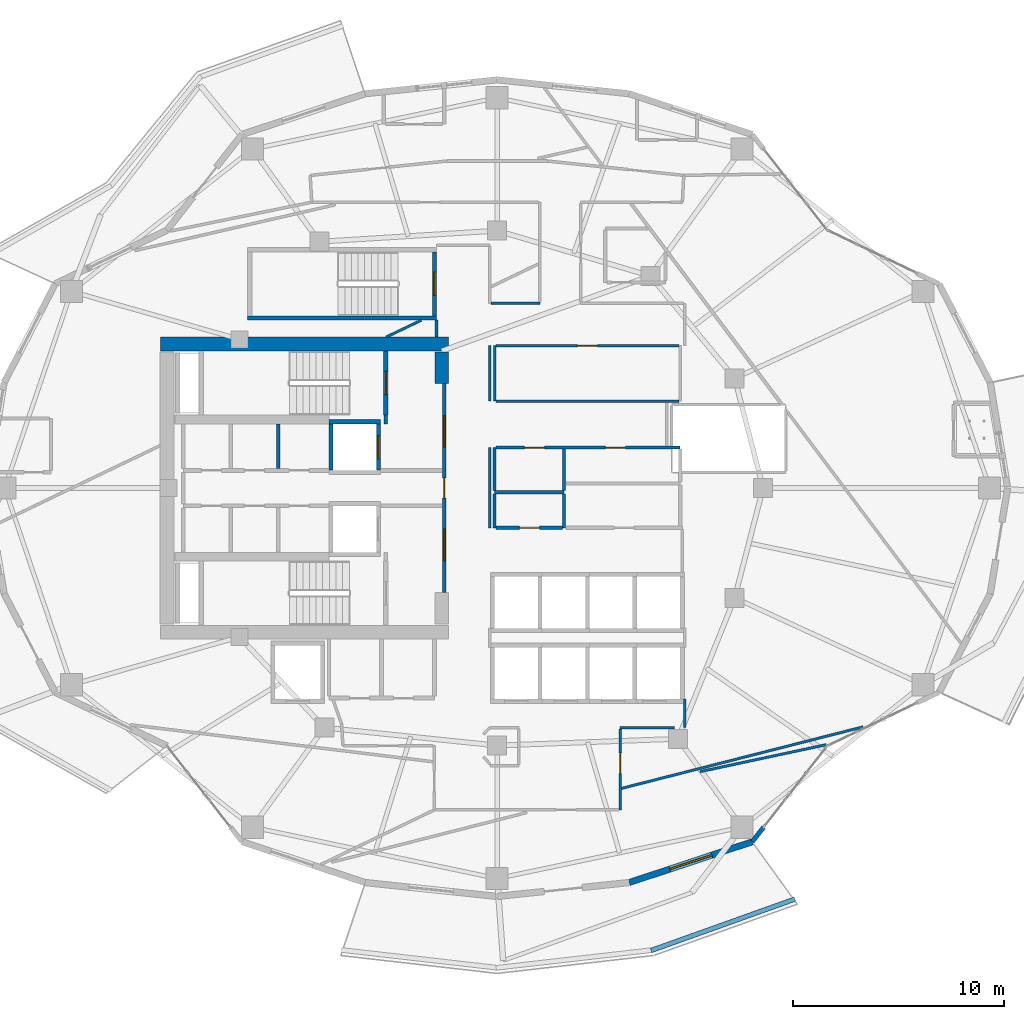
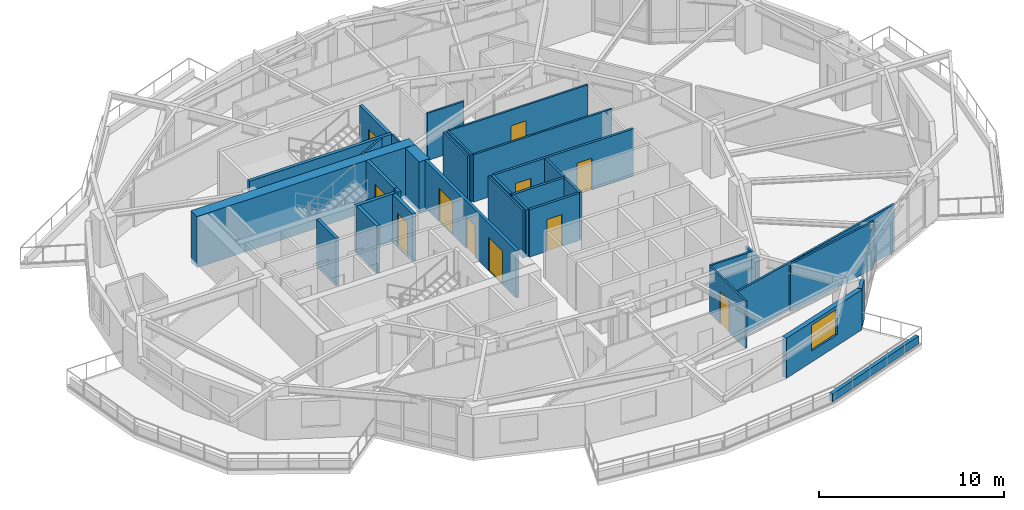
# One storey, part 10 of 19: 34 walls, 11 doors, 1 window, 12 openings.
"""IFC4 building model written with IfcOpenShell, lengths in metres."""

from ifc_helpers import new_model, si_unit, direction, frame, frame_2d, origin, place, context, subcontext, project, spatial, rectangle, extrude, material, layer, layer_set, type_object, element, fill, save


model = new_model("IFC4")

# Units and contexts
model_context = context("Model", 3, precision=1e-05, world=origin(), true_north=direction((0.0, 1.0)))
body_context = subcontext(model_context, "Body", "Model", "MODEL_VIEW")
ifc_project = project(units=[si_unit("LENGTHUNIT", "METRE"), si_unit("AREAUNIT", "SQUARE_METRE"), si_unit("VOLUMEUNIT", "CUBIC_METRE"), si_unit("PLANEANGLEUNIT", "RADIAN"), si_unit("MASSUNIT", "GRAM", prefix="KILO")], contexts=[model_context])

# Site, building, storey
site_placement = place(None, origin())
site = spatial("IfcSite", under=ifc_project, at=site_placement, CompositionType="ELEMENT")
building_placement = place(site_placement, origin())
building = spatial("IfcBuilding", under=site, at=building_placement, Name="Kolvaren Gate Tower and Convention Centre", CompositionType="ELEMENT")
storey_placement = place(building_placement, frame((0.0, 0.0, 122.300048828125)))
storey = spatial("IfcBuildingStorey", under=building, at=storey_placement, Name="L30", CompositionType="ELEMENT", Elevation=122.300048828125)

# Wall
ifc_material_1 = material(Name="Autoclaved Aerated Masonry Blockwork Class 4 (4.0 MPa)", Category="masonry")
ifc_layer_1 = layer(ifc_material_1, 0.179931640625)
ifc_layer_set_1 = layer_set([ifc_layer_1], Name="Autoclaved Aerated Masonry Blockwork Class 4 (4.0 MPa)")
wall_type_1 = type_object("IfcWallType", Name="ARCH-WL-COMP-180", PredefinedType="SOLIDWALL", material=ifc_layer_set_1)
wall_1_placement = place(storey_placement, frame((24.85009765625, 30.0400390625, 0.0), z_axis=(0.0, 0.0, 1.0), x_axis=(0.0, 1.0, 0.0)))
element("IfcWall", 1, at=wall_1_placement, inside=storey, type_object=wall_type_1, Name="Interior Partition WL-L30-INT-002", PredefinedType="SOLIDWALL", context=body_context, shape_type="SweptSolid", body=[
    extrude(rectangle(XDim=0.419921875, YDim=0.179931640625, at=frame_2d((0.2099609375, 0.0))), origin(), (0.0, 0.0, 1.0), 3.1298828125),
])

# Wall, openings, doors
wall_2_placement = place(storey_placement, frame((27.6201171875, 22.050048828125, 0.0), z_axis=(0.0, 0.0, 1.0), x_axis=(0.0, 1.0, 0.0)))
wall_2 = element("IfcWall", 2, at=wall_2_placement, inside=storey, type_object=wall_type_1, Name="Interior Partition WL-L30-INT-003", PredefinedType="SOLIDWALL", context=body_context, shape_type="SweptSolid", body=[
    extrude(rectangle(XDim=9.89990234375, YDim=0.179931640625, at=frame_2d((4.949951171875, 0.0))), origin(), (0.0, 0.0, 1.0), 3.1298828125),
])
opening_1_placement = place(wall_2_placement, frame((4.47509765625, 0.0, 0.0)))
opening_1 = element("IfcOpeningElement", 3, at=opening_1_placement, cuts=wall_2, Name="Opening DR-01", PredefinedType="OPENING", context=body_context, shape_type="SweptSolid", body=[
    extrude(rectangle(XDim=0.949951171875, YDim=2.10009765625, at=frame_2d((0.47509765625, 1.050048828125))), frame((0.0, 0.099853515625, 0.0), z_axis=(0.0, -1.0, 0.0), x_axis=(1.0, 0.0, 0.0)), (0.0, 0.0, 1.0), 0.199951171875),
])
opening_2_placement = place(wall_2_placement, frame((6.889892578125, 0.0, 0.0)))
opening_2 = element("IfcOpeningElement", 4, at=opening_2_placement, cuts=wall_2, Name="Opening DL-01", PredefinedType="OPENING", context=body_context, shape_type="SweptSolid", body=[
    extrude(rectangle(XDim=1.5, YDim=2.199951171875, at=frame_2d((0.75, 1.10009765625))), frame((0.0, 0.099853515625, 0.0), z_axis=(0.0, -1.0, 0.0), x_axis=(1.0, 0.0, 0.0)), (0.0, 0.0, 1.0), 0.199951171875),
])
opening_3_placement = place(wall_2_placement, frame((1.510009765625, 0.0, 0.0)))
opening_3 = element("IfcOpeningElement", 5, at=opening_3_placement, cuts=wall_2, Name="Opening DL-01", PredefinedType="OPENING", context=body_context, shape_type="SweptSolid", body=[
    extrude(rectangle(XDim=1.5, YDim=2.199951171875, at=frame_2d((0.75, 1.10009765625))), frame((0.0, 0.099853515625, 0.0), z_axis=(0.0, -1.0, 0.0), x_axis=(1.0, 0.0, 0.0)), (0.0, 0.0, 1.0), 0.199951171875),
])
ifc_material_2 = material(Name="Painted Architectural Steelwork ASTM A500 Grade C 345 MPa", Category="steel")
door_type_1 = type_object("IfcDoorType", Name="ARCH-DR-LOBBY-1500", OperationType="DOUBLE_DOOR_SINGLE_SWING", PredefinedType="DOOR", material=ifc_material_2)
door_1_placement = place(opening_2_placement, origin())
door_1 = element("IfcDoor", 6, at=door_1_placement, inside=storey, type_object=door_type_1, Name="North Firefighting Stair and Lift Lobby Door", OperationType="DOUBLE_DOOR_SINGLE_SWING", OverallHeight=2.199951171875, OverallWidth=1.5, PredefinedType="DOOR", context=body_context, shape_type="SweptSolid", body=[
    extrude(rectangle(XDim=1.5, YDim=2.199951171875, at=frame_2d((0.75, 1.10009765625))), frame((0.0, 0.02490234375, 0.0), z_axis=(0.0, -1.0, 0.0), x_axis=(1.0, 0.0, 0.0)), (0.0, 0.0, 1.0), 0.050048828125),
])
fill(opening_2, door_1)
door_2_placement = place(opening_3_placement, origin())
door_2 = element("IfcDoor", 7, at=door_2_placement, inside=storey, type_object=door_type_1, Name="South Firefighting Stair and Lift Lobby Door", OperationType="DOUBLE_DOOR_SINGLE_SWING", OverallHeight=2.199951171875, OverallWidth=1.5, PredefinedType="DOOR", context=body_context, shape_type="SweptSolid", body=[
    extrude(rectangle(XDim=1.5, YDim=2.199951171875, at=frame_2d((0.75, 1.10009765625))), frame((0.0, 0.02490234375, 0.0), z_axis=(0.0, -1.0, 0.0), x_axis=(1.0, 0.0, 0.0)), (0.0, 0.0, 1.0), 0.050048828125),
])
fill(opening_3, door_2)
door_type_2 = type_object("IfcDoorType", Name="ARCH-DR-RISER-950", OperationType="SINGLE_SWING_RIGHT", PredefinedType="DOOR", material=ifc_material_2)
door_3_placement = place(opening_1_placement, origin())
door_3 = element("IfcDoor", 8, at=door_3_placement, inside=storey, type_object=door_type_2, Name="Central MEP Service Corridor Door", OperationType="SINGLE_SWING_LEFT", OverallHeight=2.10009765625, OverallWidth=0.949951171875, PredefinedType="DOOR", context=body_context, shape_type="SweptSolid", body=[
    extrude(rectangle(XDim=0.949951171875, YDim=2.10009765625, at=frame_2d((0.47509765625, 1.050048828125))), frame((0.0, 0.02490234375, 0.0), z_axis=(0.0, -1.0, 0.0), x_axis=(1.0, 0.0, 0.0)), (0.0, 0.0, 1.0), 0.050048828125),
])
fill(opening_1, door_3)

# Walls
wall_3_placement = place(storey_placement, frame((19.75, 27.931884765625, 0.0), z_axis=(0.0, 0.0, 1.0), x_axis=(0.0, 1.0, 0.0)))
element("IfcWall", 9, at=wall_3_placement, inside=storey, type_object=wall_type_1, Name="Interior Partition WL-L30-INT-009", PredefinedType="SOLIDWALL", context=body_context, shape_type="SweptSolid", body=[
    extrude(rectangle(XDim=2.106201171875, YDim=0.179931640625, at=frame_2d((1.05322265625, 0.0))), origin(), (0.0, 0.0, 1.0), 3.1298828125),
])
ifc_material_3 = material(Name="Fire-Rated Acoustic Gypsum Stud Partition", Category="gypsum")
ifc_layer_2 = layer(ifc_material_3, 0.1201171875)
ifc_layer_set_2 = layer_set([ifc_layer_2], Name="Fire-Rated Acoustic Gypsum Stud Partition")
wall_type_2 = type_object("IfcWallType", Name="ARCH-WL-PART-120", PredefinedType="PARTITIONING", material=ifc_layer_set_2)
wall_4_placement = place(storey_placement, frame((30.0, 31.1201171875, 0.0), z_axis=(0.0, 0.0, 1.0), x_axis=(0.0, 1.0, 0.0)))
element("IfcWall", 10, at=wall_4_placement, inside=storey, type_object=wall_type_2, Name="Interior Partition WL-L30-INT-019", PredefinedType="PARTITIONING", context=body_context, shape_type="SweptSolid", body=[
    extrude(rectangle(XDim=2.6298828125, YDim=0.1201171875, at=frame_2d((1.31494140625, 0.0))), origin(), (0.0, 0.0, 1.0), 3.1298828125),
])
wall_5_placement = place(storey_placement, frame((30.06201171875, 31.1201171875, 0.0), z_axis=(0.0, 0.0, 1.0), x_axis=(1.0, 0.0, 0.0)))
element("IfcWall", 11, at=wall_5_placement, inside=storey, type_object=wall_type_2, Name="Interior Partition WL-L30-INT-026", PredefinedType="PARTITIONING", context=body_context, shape_type="SweptSolid", body=[
    extrude(rectangle(XDim=8.676025390625, YDim=0.1201171875, at=frame_2d((4.337890625, 0.0))), origin(), (0.0, 0.0, 1.0), 3.1298828125),
])

# Wall, opening, door
wall_6_placement = place(storey_placement, frame((30.06201171875, 33.75, 0.0), z_axis=(0.0, 0.0, 1.0), x_axis=(1.0, 0.0, 0.0)))
wall_6 = element("IfcWall", 12, at=wall_6_placement, inside=storey, type_object=wall_type_2, Name="Interior Partition WL-L30-INT-027", PredefinedType="PARTITIONING", context=body_context, shape_type="SweptSolid", body=[
    extrude(rectangle(XDim=8.676025390625, YDim=0.1201171875, at=frame_2d((4.337890625, 0.0))), origin(), (0.0, 0.0, 1.0), 3.1298828125),
])
opening_4_placement = place(wall_6_placement, frame((3.863037109375, 0.0, 0.0)))
opening_4 = element("IfcOpeningElement", 13, at=opening_4_placement, cuts=wall_6, Name="Opening DR-01", PredefinedType="OPENING", context=body_context, shape_type="SweptSolid", body=[
    extrude(rectangle(XDim=0.949951171875, YDim=2.10009765625, at=frame_2d((0.47509765625, 1.050048828125))), frame((0.0, 0.070068359375, 0.0), z_axis=(0.0, -1.0, 0.0), x_axis=(1.0, 0.0, 0.0)), (0.0, 0.0, 1.0), 0.14013671875),
])
door_4_placement = place(opening_4_placement, origin())
door_4 = element("IfcDoor", 14, at=door_4_placement, inside=storey, type_object=door_type_2, Name="Botanical Reading Clubroom Door", OperationType="SINGLE_SWING_RIGHT", OverallHeight=2.10009765625, OverallWidth=0.949951171875, PredefinedType="DOOR", context=body_context, shape_type="SweptSolid", body=[
    extrude(rectangle(XDim=0.949951171875, YDim=2.10009765625, at=frame_2d((0.47509765625, 1.050048828125))), frame((0.0, 0.02490234375, 0.0), z_axis=(0.0, -1.0, 0.0), x_axis=(1.0, 0.0, 0.0)), (0.0, 0.0, 1.0), 0.050048828125),
])
fill(opening_4, door_4)

# Walls
wall_7_placement = place(storey_placement, frame((39.02001953125, 15.64990234375, 0.0), z_axis=(0.0, 0.0, 1.0), x_axis=(0.0, 1.0, 0.0)))
element("IfcWall", 15, at=wall_7_placement, inside=storey, type_object=wall_type_2, Name="Interior Partition WL-L30-INT-028", PredefinedType="PARTITIONING", context=body_context, shape_type="SweptSolid", body=[
    extrude(rectangle(XDim=1.360107421875, YDim=0.1201171875, at=frame_2d((0.68017578125, 0.0))), origin(), (0.0, 0.0, 1.0), 2.5048828125),
])
wall_8_placement = place(storey_placement, frame((35.949951171875, 15.64990234375, 0.0), z_axis=(0.0, 0.0, 1.0), x_axis=(1.0, 0.0, 0.0)))
element("IfcWall", 16, at=wall_8_placement, inside=storey, type_object=wall_type_2, Name="Interior Partition WL-L30-INT-031", PredefinedType="PARTITIONING", context=body_context, shape_type="SweptSolid", body=[
    extrude(rectangle(XDim=2.568115234375, YDim=0.1201171875, at=frame_2d((1.2841796875, 0.0))), origin(), (0.0, 0.0, 1.0), 3.1298828125),
])

# Wall, opening, door
wall_9_placement = place(storey_placement, frame((35.949951171875, 11.75, 0.0), z_axis=(0.0, 0.0, 1.0), x_axis=(0.0, 1.0, 0.0)))
wall_9 = element("IfcWall", 17, at=wall_9_placement, inside=storey, type_object=wall_type_2, Name="Interior Partition WL-L30-INT-032", PredefinedType="PARTITIONING", context=body_context, shape_type="SweptSolid", body=[
    extrude(rectangle(XDim=3.837890625, YDim=0.1201171875, at=frame_2d((1.9189453125, 0.0))), origin(), (0.0, 0.0, 1.0), 3.1298828125),
])
opening_5_placement = place(wall_9_placement, frame((1.736083984375, 0.0, 0.0)))
opening_5 = element("IfcOpeningElement", 18, at=opening_5_placement, cuts=wall_9, Name="Opening DR-01", PredefinedType="OPENING", context=body_context, shape_type="SweptSolid", body=[
    extrude(rectangle(XDim=0.949951171875, YDim=2.10009765625, at=frame_2d((0.47509765625, 1.050048828125))), frame((0.0, 0.070068359375, 0.0), z_axis=(0.0, -1.0, 0.0), x_axis=(1.0, 0.0, 0.0)), (0.0, 0.0, 1.0), 0.14013671875),
])
door_5_placement = place(opening_5_placement, origin())
door_5 = element("IfcDoor", 19, at=door_5_placement, inside=storey, type_object=door_type_2, Name="Executive Seminar Conference Room Door", OperationType="SINGLE_SWING_RIGHT", OverallHeight=2.10009765625, OverallWidth=0.949951171875, PredefinedType="DOOR", context=body_context, shape_type="SweptSolid", body=[
    extrude(rectangle(XDim=0.949951171875, YDim=2.10009765625, at=frame_2d((0.47509765625, 1.050048828125))), frame((0.0, 0.02490234375, 0.0), z_axis=(0.0, -1.0, 0.0), x_axis=(1.0, 0.0, 0.0)), (0.0, 0.0, 1.0), 0.050048828125),
])
fill(opening_5, door_5)

# Walls
wall_10_placement = place(storey_placement, frame((27.25, 34.152099609375, 0.0), z_axis=(0.0, 0.0, 1.0), x_axis=(0.0, 1.0, 0.0)))
element("IfcWall", 20, at=wall_10_placement, inside=storey, type_object=wall_type_2, Name="Interior Partition WL-L30-INT-038", PredefinedType="PARTITIONING", context=body_context, shape_type="SweptSolid", body=[
    extrude(rectangle(XDim=0.805908203125, YDim=0.1201171875, at=frame_2d((0.40283203125, 0.0))), origin(), (0.0, 0.0, 1.0), 3.1298828125),
])
wall_11_placement = place(storey_placement, frame((29.780029296875, 25.1201171875, 0.0), z_axis=(0.0, 0.0, 1.0), x_axis=(0.0, 1.0, 0.0)))
element("IfcWall", 21, at=wall_11_placement, inside=storey, type_object=wall_type_2, Name="Interior Partition WL-L30-INT-041", PredefinedType="PARTITIONING", context=body_context, shape_type="SweptSolid", body=[
    extrude(rectangle(XDim=3.7998046875, YDim=0.1201171875, at=frame_2d((1.89990234375, 0.0))), origin(), (0.0, 0.0, 1.0), 3.1298828125),
])
wall_12_placement = place(storey_placement, frame((29.780029296875, 31.1201171875, 0.0), z_axis=(0.0, 0.0, 1.0), x_axis=(0.0, 1.0, 0.0)))
element("IfcWall", 22, at=wall_12_placement, inside=storey, type_object=wall_type_2, Name="Interior Partition WL-L30-INT-042", PredefinedType="PARTITIONING", context=body_context, shape_type="SweptSolid", body=[
    extrude(rectangle(XDim=2.6298828125, YDim=0.1201171875, at=frame_2d((1.31494140625, 0.0))), origin(), (0.0, 0.0, 1.0), 3.1298828125),
])
wall_13_placement = place(storey_placement, frame((29.842041015625, 35.75, 0.0), z_axis=(0.0, 0.0, 1.0), x_axis=(1.0, 0.0, 0.0)))
element("IfcWall", 23, at=wall_13_placement, inside=storey, type_object=wall_type_2, Name="Interior Partition WL-L30-INT-044", PredefinedType="PARTITIONING", context=body_context, shape_type="SweptSolid", body=[
    extrude(rectangle(XDim=2.307861328125, YDim=0.1201171875, at=frame_2d((1.15380859375, 0.0))), origin(), (0.0, 0.0, 1.0), 3.1298828125),
])
wall_14_placement = place(storey_placement, frame((24.857421875, 34.152099609375, 0.0), z_axis=(0.0, 0.0, 1.0), x_axis=(0.901471897781, 0.43283763412, 0.0)))
element("IfcWall", 24, at=wall_14_placement, inside=storey, type_object=wall_type_2, Name="Interior Partition WL-L30-INT-061", PredefinedType="PARTITIONING", context=body_context, shape_type="SweptSolid", body=[
    extrude(rectangle(XDim=1.86181640625, YDim=0.1201171875, at=frame_2d((0.930908203125, 0.0))), origin(), (0.0, 0.0, 1.0), 3.1298828125),
])
wall_15_placement = place(storey_placement, frame((36.011962890625, 12.76806640625, 0.0), z_axis=(0.0, 0.0, 1.0), x_axis=(0.969076252847, 0.246761456003, 0.0)))
element("IfcWall", 25, at=wall_15_placement, inside=storey, type_object=wall_type_2, Name="Interior Partition WL-L30-INT-066", PredefinedType="PARTITIONING", context=body_context, shape_type="SweptSolid", body=[
    extrude(rectangle(XDim=11.820068359375, YDim=0.1201171875, at=frame_2d((5.91015625, 0.0))), origin(), (0.0, 0.0, 1.0), 3.1298828125),
])
wall_16_placement = place(storey_placement, frame((39.740234375, 13.562744140625, 0.0), z_axis=(0.0, 0.0, 1.0), x_axis=(0.977883593705, 0.209149891615, 0.0)))
element("IfcWall", 26, at=wall_16_placement, inside=storey, type_object=wall_type_2, Name="Interior Partition WL-L30-INT-067", PredefinedType="PARTITIONING", context=body_context, shape_type="SweptSolid", body=[
    extrude(rectangle(XDim=6.112060546875, YDim=0.1201171875, at=frame_2d((3.05615234375, 0.0))), origin(), (0.0, 0.0, 1.0), 3.1298828125),
])
ifc_material_4 = material(Name="Bogota Sabana Bush-Hammered Sandstone Cladding", Category="masonry")
ifc_layer_3 = layer(ifc_material_4, 0.219970703125)
ifc_layer_set_3 = layer_set([ifc_layer_3], Name="Bogota Sabana Bush-Hammered Sandstone Cladding")
wall_type_3 = type_object("IfcWallType", Name="ARCH-WL-PIER-220", PredefinedType="SOLIDWALL", material=ifc_layer_set_3)
wall_17_placement = place(storey_placement, frame((42.21875, 10.242431640625, 0.0), z_axis=(0.0, 0.0, 1.0), x_axis=(0.61650363284, 0.787352062736, 0.0)))
element("IfcWall", 27, at=wall_17_placement, inside=storey, type_object=wall_type_3, Name="Tower L30 Unitised Curtain Wall CW-HTL-UNIT Bay 20 Left Column Pier Wrap", PredefinedType="SOLIDWALL", context=body_context, shape_type="SweptSolid", body=[
    extrude(rectangle(XDim=0.8759765625, YDim=0.219970703125, at=frame_2d((0.43798828125, 0.0))), origin(), (0.0, 0.0, 1.0), 2.65283203125),
])
ifc_material_5 = material(Name="Piedmont Cream Honed Limestone Cladding", Category="masonry")
ifc_layer_4 = layer(ifc_material_5, 0.219970703125)
ifc_layer_set_4 = layer_set([ifc_layer_4], Name="Piedmont Cream Honed Limestone Cladding")
wall_type_4 = type_object("IfcWallType", Name="ARCH-WL-PLANTER-220", PredefinedType="PARAPET", material=ifc_layer_set_4)
wall_18_placement = place(storey_placement, frame((37.4189453125, 5.08740234375, 0.0), z_axis=(0.0, 0.0, 1.0), x_axis=(0.941632697311, 0.336642040387, 0.0)))
element("IfcWall", 28, at=wall_18_placement, inside=storey, type_object=wall_type_4, Name="Vertical-Forest Balcony Stone Planter Kerb PK-L30-3.3", PredefinedType="PARAPET", context=body_context, shape_type="SweptSolid", body=[
    extrude(rectangle(XDim=7.235595703125, YDim=0.219970703125, at=frame_2d((3.61767578125, 0.0))), origin(), (0.0, 0.0, 1.0), 0.52001953125),
])
ifc_layer_5 = layer(ifc_material_1, 0.199951171875)
ifc_layer_set_5 = layer_set([ifc_layer_5], Name="Autoclaved Aerated Masonry Blockwork Class 4 (4.0 MPa)")
wall_type_5 = type_object("IfcWallType", Name="ARCH-WL-SHAFT-200", PredefinedType="SOLIDWALL", material=ifc_layer_set_5)
wall_19_placement = place(storey_placement, frame((22.14990234375, 30.139892578125, 0.0), z_axis=(0.0, 0.0, 1.0), x_axis=(1.0, 0.0, 0.0)))
element("IfcWall", 29, at=wall_19_placement, inside=storey, type_object=wall_type_5, Name="Elevator FF-01 L30 Fire Shaft Wall N", PredefinedType="SOLIDWALL", context=body_context, shape_type="SweptSolid", body=[
    extrude(rectangle(XDim=2.4501953125, YDim=0.199951171875, at=frame_2d((1.22509765625, 0.0))), origin(), (0.0, 0.0, 1.0), 3.1298828125),
])
wall_20_placement = place(storey_placement, frame((22.25, 27.85009765625, 0.0), z_axis=(0.0, 0.0, 1.0), x_axis=(0.0, 1.0, 0.0)))
element("IfcWall", 30, at=wall_20_placement, inside=storey, type_object=wall_type_5, Name="Elevator FF-01 L30 Fire Shaft Wall W", PredefinedType="SOLIDWALL", context=body_context, shape_type="SweptSolid", body=[
    extrude(rectangle(XDim=2.179931640625, YDim=0.199951171875, at=frame_2d((1.08984375, 0.0))), origin(), (0.0, 0.0, 1.0), 3.1298828125),
])

# Wall, opening, door
wall_21_placement = place(storey_placement, frame((24.5, 27.85009765625, 0.0), z_axis=(0.0, 0.0, 1.0), x_axis=(0.0, 1.0, 0.0)))
wall_21 = element("IfcWall", 31, at=wall_21_placement, inside=storey, type_object=wall_type_5, Name="Elevator FF-01 L30 Fire Shaft Wall E", PredefinedType="SOLIDWALL", context=body_context, shape_type="SweptSolid", body=[
    extrude(rectangle(XDim=2.179931640625, YDim=0.199951171875, at=frame_2d((1.08984375, 0.0))), origin(), (0.0, 0.0, 1.0), 3.1298828125),
])
opening_6_placement = place(wall_21_placement, frame((0.5400390625, 0.0, 0.0)))
opening_6 = element("IfcOpeningElement", 32, at=opening_6_placement, cuts=wall_21, Name="Opening LD", PredefinedType="OPENING", context=body_context, shape_type="SweptSolid", body=[
    extrude(rectangle(XDim=1.10009765625, YDim=2.199951171875, at=frame_2d((0.550048828125, 1.10009765625))), frame((0.0, 0.10986328125, 0.0), z_axis=(0.0, -1.0, 0.0), x_axis=(1.0, 0.0, 0.0)), (0.0, 0.0, 1.0), 0.219970703125),
])
ifc_material_6 = material(Name="Brushed Stainless Steel Grade 316L", Category="steel")
door_type_3 = type_object("IfcDoorType", Name="ARCH-DR-LIFT-1100", OperationType="SLIDING_TO_LEFT", PredefinedType="DOOR", material=ifc_material_6)
door_6_placement = place(opening_6_placement, origin())
door_6 = element("IfcDoor", 33, at=door_6_placement, inside=storey, type_object=door_type_3, Name="Elevator FF-01 L30 Sliding Landing Door", OperationType="SLIDING_TO_LEFT", OverallHeight=2.199951171875, OverallWidth=1.10009765625, PredefinedType="DOOR", context=body_context, shape_type="SweptSolid", body=[
    extrude(rectangle(XDim=1.10009765625, YDim=2.199951171875, at=frame_2d((0.550048828125, 1.10009765625))), frame((0.0, 0.02490234375, 0.0), z_axis=(0.0, -1.0, 0.0), x_axis=(1.0, 0.0, 0.0)), (0.0, 0.0, 1.0), 0.050048828125),
])
fill(opening_6, door_6)

# Wall, opening, window
ifc_layer_6 = layer(ifc_material_5, 0.300048828125)
ifc_layer_set_6 = layer_set([ifc_layer_6], Name="Piedmont Cream Honed Limestone Cladding")
wall_type_6 = type_object("IfcWallType", Name="ARCH-WL-STONE-300", PredefinedType="SOLIDWALL", material=ifc_layer_set_6)
wall_22_placement = place(storey_placement, frame((36.38525390625, 8.309326171875, 0.0), z_axis=(0.0, 0.0, 1.0), x_axis=(0.949238009374, 0.314558741032, 0.0)))
wall_22 = element("IfcWall", 34, at=wall_22_placement, inside=storey, type_object=wall_type_6, Name="Tower L30 Honed Stone Spandrel Wall EW-19", PredefinedType="SOLIDWALL", context=body_context, shape_type="SweptSolid", body=[
    extrude(rectangle(XDim=6.1455078125, YDim=0.300048828125, at=frame_2d((3.07275390625, 0.0))), origin(), (0.0, 0.0, 1.0), 2.65283203125),
])
opening_7_placement = place(wall_22_placement, frame((2.02294921875, 0.0, 0.739990234375)))
opening_7 = element("IfcOpeningElement", 35, at=opening_7_placement, cuts=wall_22, Name="Opening W-02", PredefinedType="OPENING", context=body_context, shape_type="SweptSolid", body=[
    extrude(rectangle(XDim=2.10009765625, YDim=1.699951171875, at=frame_2d((1.050048828125, 0.85009765625))), frame((0.0, 0.159912109375, 0.0), z_axis=(0.0, -1.0, 0.0), x_axis=(1.0, 0.0, 0.0)), (0.0, 0.0, 1.0), 0.320068359375),
])
ifc_material_7 = material(Name="Low-E Triple Insulated Glazing Unit 44 mm", Category="glass")
window_type = type_object("IfcWindowType", Name="ARCH-WN-HTL-2100", PartitioningType="SINGLE_PANEL", PredefinedType="WINDOW", material=ifc_material_7)
window_placement = place(opening_7_placement, origin())
window = element("IfcWindow", 36, at=window_placement, inside=storey, type_object=window_type, Name="Tower L30 Punched Stone Facade Window W-19", OverallHeight=1.699951171875, OverallWidth=2.10009765625, PartitioningType="SINGLE_PANEL", PredefinedType="WINDOW", context=body_context, shape_type="SweptSolid", body=[
    extrude(rectangle(XDim=2.10009765625, YDim=1.699951171875, at=frame_2d((1.050048828125, 0.85009765625))), frame((0.0, 0.030029296875, 0.0), z_axis=(0.0, -1.0, 0.0), x_axis=(1.0, 0.0, 0.0)), (0.0, 0.0, 1.0), 0.06005859375),
])
fill(opening_7, window)

# Walls
ifc_material_8 = material(Name="Moisture-Resistant Cement-Board Acoustic Partition", Category="gypsum")
ifc_layer_7 = layer(ifc_material_8, 0.14990234375)
ifc_layer_set_7 = layer_set([ifc_layer_7], Name="Moisture-Resistant Cement-Board Acoustic Partition")
wall_type_7 = type_object("IfcWallType", Name="ARCH-WL-WET-150", PredefinedType="PARTITIONING", material=ifc_layer_set_7)
wall_23_placement = place(storey_placement, frame((30.0, 26.800048828125, 0.0), z_axis=(0.0, 0.0, 1.0), x_axis=(1.0, 0.0, 0.0)))
element("IfcWall", 37, at=wall_23_placement, inside=storey, type_object=wall_type_7, Name="Interior Partition WL-L30-INT-017", PredefinedType="PARTITIONING", context=body_context, shape_type="SweptSolid", body=[
    extrude(rectangle(XDim=3.300048828125, YDim=0.14990234375, at=frame_2d((1.64990234375, 0.0))), origin(), (0.0, 0.0, 1.0), 3.1298828125),
])
wall_24_placement = place(storey_placement, frame((30.0, 25.1201171875, 0.0), z_axis=(0.0, 0.0, 1.0), x_axis=(0.0, 1.0, 0.0)))
element("IfcWall", 38, at=wall_24_placement, inside=storey, type_object=wall_type_7, Name="Interior Partition WL-L30-INT-018", PredefinedType="PARTITIONING", context=body_context, shape_type="SweptSolid", body=[
    extrude(rectangle(XDim=1.602783203125, YDim=0.14990234375, at=frame_2d((0.80126953125, 0.0))), origin(), (0.0, 0.0, 1.0), 3.1298828125),
])
wall_25_placement = place(storey_placement, frame((30.0, 26.876953125, 0.0), z_axis=(0.0, 0.0, 1.0), x_axis=(0.0, 1.0, 0.0)))
element("IfcWall", 39, at=wall_25_placement, inside=storey, type_object=wall_type_7, Name="Interior Partition WL-L30-INT-018 (2)", PredefinedType="PARTITIONING", context=body_context, shape_type="SweptSolid", body=[
    extrude(rectangle(XDim=2.04296875, YDim=0.14990234375, at=frame_2d((1.021484375, 0.0))), origin(), (0.0, 0.0, 1.0), 3.1298828125),
])

# Wall, openings, doors
wall_26_placement = place(storey_placement, frame((30.076904296875, 28.919921875, 0.0), z_axis=(0.0, 0.0, 1.0), x_axis=(1.0, 0.0, 0.0)))
wall_26 = element("IfcWall", 40, at=wall_26_placement, inside=storey, type_object=wall_type_7, Name="Interior Partition WL-L30-INT-020", PredefinedType="PARTITIONING", context=body_context, shape_type="SweptSolid", body=[
    extrude(rectangle(XDim=8.72314453125, YDim=0.14990234375, at=frame_2d((4.361572265625, 0.0))), origin(), (0.0, 0.0, 1.0), 3.1298828125),
])
opening_8_placement = place(wall_26_placement, frame((1.341552734375, 0.0, 0.0)))
opening_8 = element("IfcOpeningElement", 41, at=opening_8_placement, cuts=wall_26, Name="Opening DR-01", PredefinedType="OPENING", context=body_context, shape_type="SweptSolid", body=[
    extrude(rectangle(XDim=0.949951171875, YDim=2.10009765625, at=frame_2d((0.47509765625, 1.050048828125))), frame((0.0, 0.0849609375, 0.0), z_axis=(0.0, -1.0, 0.0), x_axis=(1.0, 0.0, 0.0)), (0.0, 0.0, 1.0), 0.169921875),
])
opening_9_placement = place(wall_26_placement, frame((5.177978515625, 0.0, 0.0)))
opening_9 = element("IfcOpeningElement", 42, at=opening_9_placement, cuts=wall_26, Name="Opening DR-01", PredefinedType="OPENING", context=body_context, shape_type="SweptSolid", body=[
    extrude(rectangle(XDim=0.949951171875, YDim=2.10009765625, at=frame_2d((0.47509765625, 1.050048828125))), frame((0.0, 0.0849609375, 0.0), z_axis=(0.0, -1.0, 0.0), x_axis=(1.0, 0.0, 0.0)), (0.0, 0.0, 1.0), 0.169921875),
])
door_7_placement = place(opening_8_placement, origin())
door_7 = element("IfcDoor", 43, at=door_7_placement, inside=storey, type_object=door_type_2, Name="Accessible North Washroom Door", OperationType="SINGLE_SWING_RIGHT", OverallHeight=2.10009765625, OverallWidth=0.949951171875, PredefinedType="DOOR", context=body_context, shape_type="SweptSolid", body=[
    extrude(rectangle(XDim=0.949951171875, YDim=2.10009765625, at=frame_2d((0.47509765625, 1.050048828125))), frame((0.0, 0.02490234375, 0.0), z_axis=(0.0, -1.0, 0.0), x_axis=(1.0, 0.0, 0.0)), (0.0, 0.0, 1.0), 0.050048828125),
])
fill(opening_8, door_7)
door_8_placement = place(opening_9_placement, origin())
door_8 = element("IfcDoor", 44, at=door_8_placement, inside=storey, type_object=door_type_2, Name="Hotel Housekeeping and Linen Store Door", OperationType="SINGLE_SWING_RIGHT", OverallHeight=2.10009765625, OverallWidth=0.949951171875, PredefinedType="DOOR", context=body_context, shape_type="SweptSolid", body=[
    extrude(rectangle(XDim=0.949951171875, YDim=2.10009765625, at=frame_2d((0.47509765625, 1.050048828125))), frame((0.0, 0.02490234375, 0.0), z_axis=(0.0, -1.0, 0.0), x_axis=(1.0, 0.0, 0.0)), (0.0, 0.0, 1.0), 0.050048828125),
])
fill(opening_9, door_8)

# Walls
wall_27_placement = place(storey_placement, frame((33.300048828125, 25.1201171875, 0.0), z_axis=(0.0, 0.0, 1.0), x_axis=(0.0, 1.0, 0.0)))
element("IfcWall", 45, at=wall_27_placement, inside=storey, type_object=wall_type_7, Name="Interior Partition WL-L30-INT-021", PredefinedType="PARTITIONING", context=body_context, shape_type="SweptSolid", body=[
    extrude(rectangle(XDim=1.602783203125, YDim=0.14990234375, at=frame_2d((0.80126953125, 0.0))), origin(), (0.0, 0.0, 1.0), 3.1298828125),
])
wall_28_placement = place(storey_placement, frame((33.300048828125, 26.876953125, 0.0), z_axis=(0.0, 0.0, 1.0), x_axis=(0.0, 1.0, 0.0)))
element("IfcWall", 46, at=wall_28_placement, inside=storey, type_object=wall_type_7, Name="Interior Partition WL-L30-INT-021 (2)", PredefinedType="PARTITIONING", context=body_context, shape_type="SweptSolid", body=[
    extrude(rectangle(XDim=1.966064453125, YDim=0.14990234375, at=frame_2d((0.98291015625, 0.0))), origin(), (0.0, 0.0, 1.0), 3.1298828125),
])

# Wall, opening, door
wall_29_placement = place(storey_placement, frame((30.076904296875, 25.1201171875, 0.0), z_axis=(0.0, 0.0, 1.0), x_axis=(1.0, 0.0, 0.0)))
wall_29 = element("IfcWall", 47, at=wall_29_placement, inside=storey, type_object=wall_type_7, Name="Interior Partition WL-L30-INT-022", PredefinedType="PARTITIONING", context=body_context, shape_type="SweptSolid", body=[
    extrude(rectangle(XDim=3.14599609375, YDim=0.14990234375, at=frame_2d((1.572998046875, 0.0))), origin(), (0.0, 0.0, 1.0), 3.1298828125),
])
opening_10_placement = place(wall_29_placement, frame((1.097900390625, 0.0, 0.0)))
opening_10 = element("IfcOpeningElement", 48, at=opening_10_placement, cuts=wall_29, Name="Opening DR-01", PredefinedType="OPENING", context=body_context, shape_type="SweptSolid", body=[
    extrude(rectangle(XDim=0.949951171875, YDim=2.10009765625, at=frame_2d((0.47509765625, 1.050048828125))), frame((0.0, 0.0849609375, 0.0), z_axis=(0.0, -1.0, 0.0), x_axis=(1.0, 0.0, 0.0)), (0.0, 0.0, 1.0), 0.169921875),
])
door_9_placement = place(opening_10_placement, origin())
door_9 = element("IfcDoor", 49, at=door_9_placement, inside=storey, type_object=door_type_2, Name="South Visitor Washroom Door", OperationType="SINGLE_SWING_LEFT", OverallHeight=2.10009765625, OverallWidth=0.949951171875, PredefinedType="DOOR", context=body_context, shape_type="SweptSolid", body=[
    extrude(rectangle(XDim=0.949951171875, YDim=2.10009765625, at=frame_2d((0.47509765625, 1.050048828125))), frame((0.0, 0.02490234375, 0.0), z_axis=(0.0, -1.0, 0.0), x_axis=(1.0, 0.0, 0.0)), (0.0, 0.0, 1.0), 0.050048828125),
])
fill(opening_10, door_9)

# Walls
ifc_material_9 = material(Name="Concrete C60/75", Category="concrete")
ifc_layer_8 = layer(ifc_material_9, 0.64990234375)
ifc_layer_set_8 = layer_set([ifc_layer_8], Name="Concrete C60/75")
wall_type_8 = type_object("IfcWallType", Name="STR-WL-CORE-650", PredefinedType="SHEAR", material=ifc_layer_set_8)
wall_30_placement = place(storey_placement, frame((14.175048828125, 33.824951171875, -0.27001953125), z_axis=(0.0, 0.0, 1.0), x_axis=(1.0, 0.0, 0.0)))
element("IfcWall", 50, at=wall_30_placement, inside=storey, type_object=wall_type_8, Name="Tower L30 Offset Core Shear Wall N", PredefinedType="SHEAR", context=body_context, shape_type="SweptSolid", body=[
    extrude(rectangle(XDim=13.64990234375, YDim=0.64990234375, at=frame_2d((6.824951171875, 0.0))), origin(), (0.0, 0.0, 1.0), 3.39990234375),
])
wall_31_placement = place(storey_placement, frame((27.5, 31.949951171875, -0.27001953125), z_axis=(0.0, 0.0, 1.0), x_axis=(0.0, 1.0, 0.0)))
element("IfcWall", 51, at=wall_31_placement, inside=storey, type_object=wall_type_8, Name="Tower L30 Offset Core Shear Wall EN", PredefinedType="SHEAR", context=body_context, shape_type="SweptSolid", body=[
    extrude(rectangle(XDim=1.5, YDim=0.64990234375, at=frame_2d((0.75, 0.0))), origin(), (0.0, 0.0, 1.0), 3.39990234375),
])

# Wall, opening, door
ifc_material_10 = material(Name="Concrete C50/60", Category="concrete")
ifc_layer_9 = layer(ifc_material_10, 0.199951171875)
ifc_layer_set_9 = layer_set([ifc_layer_9], Name="Concrete C50/60")
wall_type_9 = type_object("IfcWallType", Name="STR-WL-SHAFT-200", PredefinedType="SHEAR", material=ifc_layer_set_9)
wall_32_placement = place(storey_placement, frame((24.85009765625, 30.4599609375, -0.27001953125), z_axis=(0.0, 0.0, 1.0), x_axis=(0.0, 1.0, 0.0)))
wall_32 = element("IfcWall", 52, at=wall_32_placement, inside=storey, type_object=wall_type_9, Name="Tower North Exit Stair ST-T1 L30 Structural Shear Enclosure Wall NEAR", PredefinedType="SHEAR", context=body_context, shape_type="SweptSolid", body=[
    extrude(rectangle(XDim=3.0380859375, YDim=0.199951171875, at=frame_2d((1.51904296875, 0.0))), origin(), (0.0, 0.0, 1.0), 3.39990234375),
])
opening_11_placement = place(wall_32_placement, frame((0.968994140625, 0.0, 0.27001953125)))
opening_11 = element("IfcOpeningElement", 53, at=opening_11_placement, cuts=wall_32, Name="Opening DS-01", PredefinedType="OPENING", context=body_context, shape_type="SweptSolid", body=[
    extrude(rectangle(XDim=1.10009765625, YDim=2.14990234375, at=frame_2d((0.550048828125, 1.074951171875))), frame((0.0, 0.10986328125, 0.0), z_axis=(0.0, -1.0, 0.0), x_axis=(1.0, 0.0, 0.0)), (0.0, 0.0, 1.0), 0.219970703125),
])
door_type_4 = type_object("IfcDoorType", Name="ARCH-DR-STAIR-1100", OperationType="SINGLE_SWING_LEFT", PredefinedType="DOOR", material=ifc_material_2)
door_10_placement = place(opening_11_placement, origin())
door_10 = element("IfcDoor", 54, at=door_10_placement, inside=storey, type_object=door_type_4, Name="Tower North Exit Stair ST-T1 L30 Fire Exit Stair Door", OperationType="SINGLE_SWING_RIGHT", OverallHeight=2.14990234375, OverallWidth=1.10009765625, PredefinedType="DOOR", context=body_context, shape_type="SweptSolid", body=[
    extrude(rectangle(XDim=1.10009765625, YDim=2.14990234375, at=frame_2d((0.550048828125, 1.074951171875))), frame((0.0, 0.02490234375, 0.0), z_axis=(0.0, -1.0, 0.0), x_axis=(1.0, 0.0, 0.0)), (0.0, 0.0, 1.0), 0.050048828125),
])
fill(opening_11, door_10)

wall_33_placement = place(storey_placement, frame((27.14990234375, 35.159912109375, -0.27001953125), z_axis=(0.0, 0.0, 1.0), x_axis=(0.0, 1.0, 0.0)))
wall_33 = element("IfcWall", 55, at=wall_33_placement, inside=storey, type_object=wall_type_9, Name="Tower Mid-Zone Exit Stair ST-T3 L30 Structural Shear Enclosure Wall NEAR", PredefinedType="SHEAR", context=body_context, shape_type="SweptSolid", body=[
    extrude(rectangle(XDim=3.0400390625, YDim=0.199951171875, at=frame_2d((1.52001953125, 0.0))), origin(), (0.0, 0.0, 1.0), 3.39990234375),
])
opening_12_placement = place(wall_33_placement, frame((0.969970703125, 0.0, 0.27001953125)))
opening_12 = element("IfcOpeningElement", 56, at=opening_12_placement, cuts=wall_33, Name="Opening DS-01", PredefinedType="OPENING", context=body_context, shape_type="SweptSolid", body=[
    extrude(rectangle(XDim=1.10009765625, YDim=2.14990234375, at=frame_2d((0.550048828125, 1.074951171875))), frame((0.0, 0.10986328125, 0.0), z_axis=(0.0, -1.0, 0.0), x_axis=(1.0, 0.0, 0.0)), (0.0, 0.0, 1.0), 0.219970703125),
])
door_11_placement = place(opening_12_placement, origin())
door_11 = element("IfcDoor", 57, at=door_11_placement, inside=storey, type_object=door_type_4, Name="Tower Mid-Zone Exit Stair ST-T3 L30 Fire Exit Stair Door", OperationType="SINGLE_SWING_RIGHT", OverallHeight=2.14990234375, OverallWidth=1.10009765625, PredefinedType="DOOR", context=body_context, shape_type="SweptSolid", body=[
    extrude(rectangle(XDim=1.10009765625, YDim=2.14990234375, at=frame_2d((0.550048828125, 1.074951171875))), frame((0.0, 0.02490234375, 0.0), z_axis=(0.0, -1.0, 0.0), x_axis=(1.0, 0.0, 0.0)), (0.0, 0.0, 1.0), 0.050048828125),
])
fill(opening_12, door_11)

# Wall
wall_34_placement = place(storey_placement, frame((18.300048828125, 35.06005859375, -0.27001953125), z_axis=(0.0, 0.0, 1.0), x_axis=(1.0, 0.0, 0.0)))
element("IfcWall", 58, at=wall_34_placement, inside=storey, type_object=wall_type_9, Name="Tower Mid-Zone Exit Stair ST-T3 L30 Structural Shear Enclosure Wall RGHT", PredefinedType="SHEAR", context=body_context, shape_type="SweptSolid", body=[
    extrude(rectangle(XDim=8.949951171875, YDim=0.199951171875, at=frame_2d((4.47509765625, 0.0))), origin(), (0.0, 0.0, 1.0), 3.39990234375),
])

save(model, "model.ifc")
